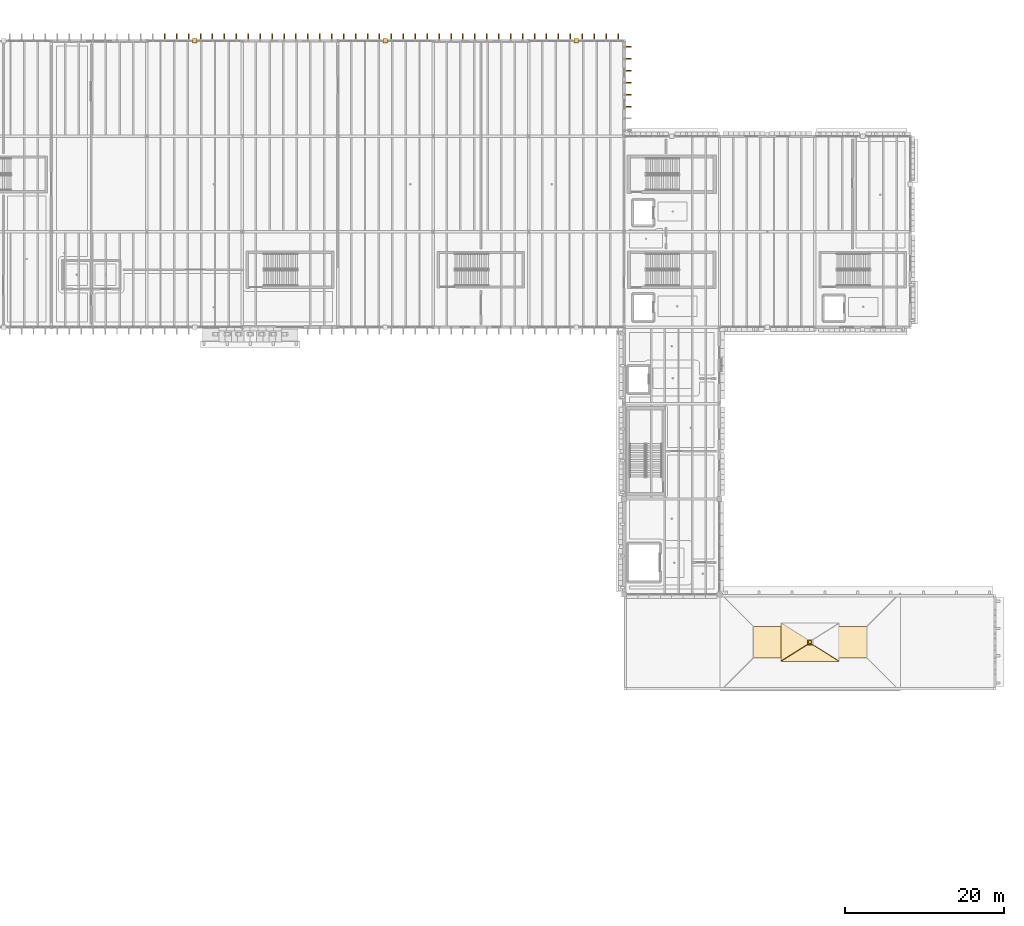
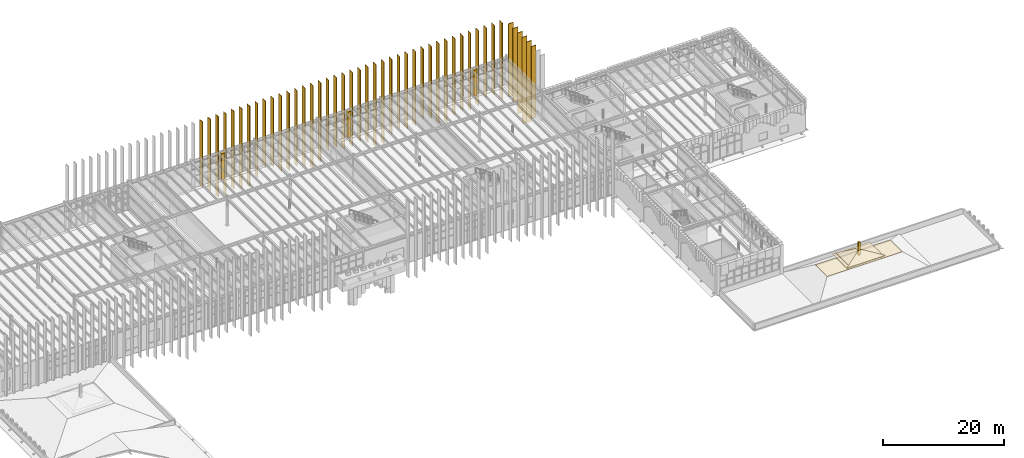
# One storey, part 72 of 83: 53 coverings.
"""IFC4 building model written with IfcOpenShell, lengths in metres."""

from ifc_helpers import new_model, si_unit, direction, frame, origin, place, context, subcontext, project, spatial, polyline, outline, extrude, material, layer, layer_set, type_object, element, save


model = new_model("IFC4")

# Units and contexts
model_context = context("Model", 3, precision=1e-05, world=origin(), true_north=direction((0.0, 1.0)))
body_context = subcontext(model_context, "Body", "Model", "MODEL_VIEW")
ifc_project = project(units=[si_unit("LENGTHUNIT", "METRE"), si_unit("AREAUNIT", "SQUARE_METRE"), si_unit("VOLUMEUNIT", "CUBIC_METRE"), si_unit("PLANEANGLEUNIT", "RADIAN"), si_unit("MASSUNIT", "GRAM", prefix="KILO")], contexts=[model_context])

# Site, building, storey
site_placement = place(None, origin())
site = spatial("IfcSite", under=ifc_project, at=site_placement, CompositionType="ELEMENT")
building_placement = place(site_placement, origin())
building = spatial("IfcBuilding", under=site, at=building_placement, Name="Zlatogorsky Bluff Art Gallery", CompositionType="ELEMENT")
storey_placement = place(building_placement, frame((0.0, 0.0, 10.800048828125)))
storey = spatial("IfcBuildingStorey", under=building, at=storey_placement, Name="L02", CompositionType="ELEMENT", Elevation=10.800048828125)

# Coverings
ifc_material_1 = material(Name="Honed Red Agra-Tone Quartzitic Sandstone", Category="masonry")
ifc_layer_1 = layer(ifc_material_1, 0.1201171875)
ifc_layer_set_1 = layer_set([ifc_layer_1], Name="Carved Sandstone Cladding CLD-02")
covering_type_1 = type_object("IfcCoveringType", Name="Carved Sandstone Cladding CLD-02", PredefinedType="CLADDING", material=ifc_layer_set_1)
covering_1_placement = place(storey_placement, frame((0.0, 0.0, -0.030029296875)))
element("IfcCovering", 1, at=covering_1_placement, inside=storey, type_object=covering_type_1, Name="Mughal dalan central sandstone pier L02 N 5.10", PredefinedType="CLADDING", context=body_context, shape_type="SweptSolid", body=[
    extrude(outline(polyline([(65.719970703125, 119.719970703125), (66.280029296875, 119.719970703125), (66.280029296875, 120.280029296875), (65.719970703125, 120.280029296875), (65.719970703125, 119.719970703125)])), origin(), (0.0, 0.0, 1.0), 5.239990234375),
])
covering_2_placement = place(storey_placement, frame((0.0, 0.0, -0.030029296875)))
element("IfcCovering", 2, at=covering_2_placement, inside=storey, type_object=covering_type_1, Name="Mughal dalan central sandstone pier L02 N 7.10", PredefinedType="CLADDING", context=body_context, shape_type="SweptSolid", body=[
    extrude(outline(polyline([(89.719970703125, 119.719970703125), (90.280029296875, 119.719970703125), (90.280029296875, 120.280029296875), (89.719970703125, 120.280029296875), (89.719970703125, 119.719970703125)])), origin(), (0.0, 0.0, 1.0), 5.239990234375),
])
covering_3_placement = place(storey_placement, frame((0.0, 0.0, -0.030029296875)))
element("IfcCovering", 3, at=covering_3_placement, inside=storey, type_object=covering_type_1, Name="Mughal dalan central sandstone pier L02 N 9.10", PredefinedType="CLADDING", context=body_context, shape_type="SweptSolid", body=[
    extrude(outline(polyline([(113.719970703125, 119.719970703125), (114.280029296875, 119.719970703125), (114.280029296875, 120.280029296875), (113.719970703125, 120.280029296875), (113.719970703125, 119.719970703125)])), origin(), (0.0, 0.0, 1.0), 5.239990234375),
])
covering_4_placement = place(storey_placement, frame((0.0, 0.0, 2.570068359375)))
element("IfcCovering", 4, at=covering_4_placement, inside=storey, type_object=covering_type_1, Name="Mughal pavilion upper deck RF-EAST-PAV", PredefinedType="CLADDING", context=body_context, shape_type="SweptSolid", body=[
    extrude(outline(polyline([(136.23193359375, 42.431884765625), (150.568115234375, 42.431884765625), (150.568115234375, 46.367919921875), (136.23193359375, 46.367919921875), (136.23193359375, 42.431884765625)])), origin(), (0.0, 0.0, 1.0), 0.179931640625),
])
covering_5_placement = place(storey_placement, frame((0.0, 0.0, 2.7099609375)))
element("IfcCovering", 5, at=covering_5_placement, inside=storey, type_object=covering_type_1, Name="Mughal chhatri lantern pavilion drum RF-EAST-PAV", PredefinedType="CLADDING", context=body_context, shape_type="SweptSolid", body=[
    extrude(outline(polyline([(140.199951171875, 42.431884765625), (146.60009765625, 42.431884765625), (146.60009765625, 46.367919921875), (140.199951171875, 46.367919921875), (140.199951171875, 42.431884765625)])), origin(), (0.0, 0.0, 1.0), 0.9541015625),
])
covering_6_placement = place(storey_placement, frame((139.75, 41.98193359375, 3.50390625), z_axis=(0.0, -0.466937780766, 0.884290172338), x_axis=(1.0, 0.0, 0.0)))
element("IfcCovering", 6, at=covering_6_placement, inside=storey, type_object=covering_type_1, Name="Mughal chhatri pavilion cap RF-EAST-PAV.CS", PredefinedType="CLADDING", context=body_context, shape_type="SweptSolid", body=[
    extrude(outline(polyline([(0.0, 0.0), (7.300048828125, 0.0), (4.0, 2.3387291853614096), (3.300048828125, 2.3387291853614096), (0.0, 0.0)])), origin(), (0.0, 0.0, -1.0), 0.139892578125),
])
covering_7_placement = place(storey_placement, frame((139.75, 46.818115234375, 3.50390625), z_axis=(-0.314162101707, 0.0, 0.949369355863), x_axis=(0.0, -1.0, 0.0)))
element("IfcCovering", 7, at=covering_7_placement, inside=storey, type_object=covering_type_1, Name="Mughal chhatri pavilion cap RF-EAST-PAV.CW", PredefinedType="CLADDING", context=body_context, shape_type="SweptSolid", body=[
    extrude(outline(polyline([(0.0, 0.0), (4.836181640625, 0.0), (2.76806640625, 3.476043130891282), (2.068115234375, 3.476043130891282), (0.0, 0.0)])), origin(), (0.0, 0.0, -1.0), 0.139892578125),
])
ifc_material_2 = material(Name="Patinated Architectural Bronze Fin", Category="metal")
ifc_layer_2 = layer(ifc_material_2, 0.110107421875)
ifc_layer_set_2 = layer_set([ifc_layer_2], Name="Vertical Gallery Fin FIN-01")
covering_type_2 = type_object("IfcCoveringType", Name="Vertical Gallery Fin FIN-01", PredefinedType="CLADDING", material=ifc_layer_set_2)
covering_8_placement = place(storey_placement, frame((0.0, 0.0, 3.44384765625)))
element("IfcCovering", 8, at=covering_8_placement, inside=storey, type_object=covering_type_2, Name="Bronze kalasha pinnacle finial RF-EAST-PAV", PredefinedType="CLADDING", context=body_context, shape_type="SweptSolid", body=[
    extrude(outline(polyline([(143.219970703125, 44.219970703125), (143.580078125, 44.219970703125), (143.580078125, 44.580078125), (143.219970703125, 44.580078125), (143.219970703125, 44.219970703125)])), origin(), (0.0, 0.0, 1.0), 2.60205078125),
])
covering_9_placement = place(storey_placement, frame((0.0, 0.0, -0.547119140625)))
element("IfcCovering", 9, at=covering_9_placement, inside=storey, type_object=covering_type_2, Name="Lifted gallery vertical bronze fin N.105", PredefinedType="CLADDING", context=body_context, shape_type="SweptSolid", body=[
    extrude(outline(polyline([(62.18994140625, 119.9599609375), (62.31005859375, 119.9599609375), (62.31005859375, 120.8798828125), (62.18994140625, 120.8798828125), (62.18994140625, 119.9599609375)])), origin(), (0.0, 0.0, 1.0), 13.22705078125),
])
covering_10_placement = place(storey_placement, frame((0.0, 0.0, -1.716064453125)))
element("IfcCovering", 10, at=covering_10_placement, inside=storey, type_object=covering_type_2, Name="Lifted gallery vertical bronze fin N.106", PredefinedType="CLADDING", context=body_context, shape_type="SweptSolid", body=[
    extrude(outline(polyline([(63.68994140625, 119.9599609375), (63.81005859375, 119.9599609375), (63.81005859375, 120.8798828125), (63.68994140625, 120.8798828125), (63.68994140625, 119.9599609375)])), origin(), (0.0, 0.0, 1.0), 14.39599609375),
])
covering_11_placement = place(storey_placement, frame((0.0, 0.0, -3.4580078125)))
element("IfcCovering", 11, at=covering_11_placement, inside=storey, type_object=covering_type_2, Name="Lifted gallery vertical bronze fin N.107", PredefinedType="CLADDING", context=body_context, shape_type="SweptSolid", body=[
    extrude(outline(polyline([(65.18994140625, 119.9599609375), (65.31005859375, 119.9599609375), (65.31005859375, 120.8798828125), (65.18994140625, 120.8798828125), (65.18994140625, 119.9599609375)])), origin(), (0.0, 0.0, 1.0), 16.137939453125),
])
covering_12_placement = place(storey_placement, frame((0.0, 0.0, -3.614013671875)))
element("IfcCovering", 12, at=covering_12_placement, inside=storey, type_object=covering_type_2, Name="Lifted gallery vertical bronze fin N.108", PredefinedType="CLADDING", context=body_context, shape_type="SweptSolid", body=[
    extrude(outline(polyline([(66.68994140625, 119.9599609375), (66.81005859375, 119.9599609375), (66.81005859375, 120.8798828125), (66.68994140625, 120.8798828125), (66.68994140625, 119.9599609375)])), origin(), (0.0, 0.0, 1.0), 16.2939453125),
])
covering_13_placement = place(storey_placement, frame((0.0, 0.0, -2.93310546875)))
element("IfcCovering", 13, at=covering_13_placement, inside=storey, type_object=covering_type_2, Name="Lifted gallery vertical bronze fin N.109", PredefinedType="CLADDING", context=body_context, shape_type="SweptSolid", body=[
    extrude(outline(polyline([(68.18994140625, 119.9599609375), (68.31005859375, 119.9599609375), (68.31005859375, 120.8798828125), (68.18994140625, 120.8798828125), (68.18994140625, 119.9599609375)])), origin(), (0.0, 0.0, 1.0), 15.613037109375),
])
covering_14_placement = place(storey_placement, frame((0.0, 0.0, -3.152099609375)))
element("IfcCovering", 14, at=covering_14_placement, inside=storey, type_object=covering_type_2, Name="Lifted gallery vertical bronze fin N.110", PredefinedType="CLADDING", context=body_context, shape_type="SweptSolid", body=[
    extrude(outline(polyline([(69.68994140625, 119.9599609375), (69.81005859375, 119.9599609375), (69.81005859375, 120.8798828125), (69.68994140625, 120.8798828125), (69.68994140625, 119.9599609375)])), origin(), (0.0, 0.0, 1.0), 15.83203125),
])
covering_15_placement = place(storey_placement, frame((0.0, 0.0, -3.43896484375)))
element("IfcCovering", 15, at=covering_15_placement, inside=storey, type_object=covering_type_2, Name="Lifted gallery vertical bronze fin N.111", PredefinedType="CLADDING", context=body_context, shape_type="SweptSolid", body=[
    extrude(outline(polyline([(71.18994140625, 119.9599609375), (71.31005859375, 119.9599609375), (71.31005859375, 120.8798828125), (71.18994140625, 120.8798828125), (71.18994140625, 119.9599609375)])), origin(), (0.0, 0.0, 1.0), 16.118896484375),
])
covering_16_placement = place(storey_placement, frame((0.0, 0.0, -2.215087890625)))
element("IfcCovering", 16, at=covering_16_placement, inside=storey, type_object=covering_type_2, Name="Lifted gallery vertical bronze fin N.112", PredefinedType="CLADDING", context=body_context, shape_type="SweptSolid", body=[
    extrude(outline(polyline([(72.68994140625, 119.9599609375), (72.81005859375, 119.9599609375), (72.81005859375, 120.8798828125), (72.68994140625, 120.8798828125), (72.68994140625, 119.9599609375)])), origin(), (0.0, 0.0, 1.0), 14.89501953125),
])
covering_17_placement = place(storey_placement, frame((0.0, 0.0, -0.7060546875)))
element("IfcCovering", 17, at=covering_17_placement, inside=storey, type_object=covering_type_2, Name="Lifted gallery vertical bronze fin N.113", PredefinedType="CLADDING", context=body_context, shape_type="SweptSolid", body=[
    extrude(outline(polyline([(74.18994140625, 119.9599609375), (74.31005859375, 119.9599609375), (74.31005859375, 120.8798828125), (74.18994140625, 120.8798828125), (74.18994140625, 119.9599609375)])), origin(), (0.0, 0.0, 1.0), 13.385986328125),
])
covering_18_placement = place(storey_placement, frame((0.0, 0.0, -1.053955078125)))
element("IfcCovering", 18, at=covering_18_placement, inside=storey, type_object=covering_type_2, Name="Lifted gallery vertical bronze fin N.114", PredefinedType="CLADDING", context=body_context, shape_type="SweptSolid", body=[
    extrude(outline(polyline([(75.68994140625, 119.9599609375), (75.81005859375, 119.9599609375), (75.81005859375, 120.8798828125), (75.68994140625, 120.8798828125), (75.68994140625, 119.9599609375)])), origin(), (0.0, 0.0, 1.0), 13.73388671875),
])
covering_19_placement = place(storey_placement, frame((0.0, 0.0, -2.465087890625)))
element("IfcCovering", 19, at=covering_19_placement, inside=storey, type_object=covering_type_2, Name="Lifted gallery vertical bronze fin N.115", PredefinedType="CLADDING", context=body_context, shape_type="SweptSolid", body=[
    extrude(outline(polyline([(77.18994140625, 119.9599609375), (77.31005859375, 119.9599609375), (77.31005859375, 120.8798828125), (77.18994140625, 120.8798828125), (77.18994140625, 119.9599609375)])), origin(), (0.0, 0.0, 1.0), 15.14501953125),
])
covering_20_placement = place(storey_placement, frame((0.0, 0.0, -2.7939453125)))
element("IfcCovering", 20, at=covering_20_placement, inside=storey, type_object=covering_type_2, Name="Lifted gallery vertical bronze fin N.116", PredefinedType="CLADDING", context=body_context, shape_type="SweptSolid", body=[
    extrude(outline(polyline([(78.68994140625, 119.9599609375), (78.81005859375, 119.9599609375), (78.81005859375, 120.8798828125), (78.68994140625, 120.8798828125), (78.68994140625, 119.9599609375)])), origin(), (0.0, 0.0, 1.0), 15.473876953125),
])
covering_21_placement = place(storey_placement, frame((0.0, 0.0, -2.453125)))
element("IfcCovering", 21, at=covering_21_placement, inside=storey, type_object=covering_type_2, Name="Lifted gallery vertical bronze fin N.117", PredefinedType="CLADDING", context=body_context, shape_type="SweptSolid", body=[
    extrude(outline(polyline([(80.18994140625, 119.9599609375), (80.31005859375, 119.9599609375), (80.31005859375, 120.8798828125), (80.18994140625, 120.8798828125), (80.18994140625, 119.9599609375)])), origin(), (0.0, 0.0, 1.0), 15.133056640625),
])
covering_22_placement = place(storey_placement, frame((0.0, 0.0, -3.131103515625)))
element("IfcCovering", 22, at=covering_22_placement, inside=storey, type_object=covering_type_2, Name="Lifted gallery vertical bronze fin N.118", PredefinedType="CLADDING", context=body_context, shape_type="SweptSolid", body=[
    extrude(outline(polyline([(81.68994140625, 119.9599609375), (81.81005859375, 119.9599609375), (81.81005859375, 120.8798828125), (81.68994140625, 120.8798828125), (81.68994140625, 119.9599609375)])), origin(), (0.0, 0.0, 1.0), 15.81103515625),
])
covering_23_placement = place(storey_placement, frame((0.0, 0.0, -4.0390625)))
element("IfcCovering", 23, at=covering_23_placement, inside=storey, type_object=covering_type_2, Name="Lifted gallery vertical bronze fin N.119", PredefinedType="CLADDING", context=body_context, shape_type="SweptSolid", body=[
    extrude(outline(polyline([(83.18994140625, 119.9599609375), (83.31005859375, 119.9599609375), (83.31005859375, 120.8798828125), (83.18994140625, 120.8798828125), (83.18994140625, 119.9599609375)])), origin(), (0.0, 0.0, 1.0), 16.718994140625),
])
covering_24_placement = place(storey_placement, frame((0.0, 0.0, -3.235107421875)))
element("IfcCovering", 24, at=covering_24_placement, inside=storey, type_object=covering_type_2, Name="Lifted gallery vertical bronze fin N.120", PredefinedType="CLADDING", context=body_context, shape_type="SweptSolid", body=[
    extrude(outline(polyline([(84.68994140625, 119.9599609375), (84.81005859375, 119.9599609375), (84.81005859375, 120.8798828125), (84.68994140625, 120.8798828125), (84.68994140625, 119.9599609375)])), origin(), (0.0, 0.0, 1.0), 15.9150390625),
])
covering_25_placement = place(storey_placement, frame((0.0, 0.0, -1.52001953125)))
element("IfcCovering", 25, at=covering_25_placement, inside=storey, type_object=covering_type_2, Name="Lifted gallery vertical bronze fin N.121", PredefinedType="CLADDING", context=body_context, shape_type="SweptSolid", body=[
    extrude(outline(polyline([(86.18994140625, 119.9599609375), (86.31005859375, 119.9599609375), (86.31005859375, 120.8798828125), (86.18994140625, 120.8798828125), (86.18994140625, 119.9599609375)])), origin(), (0.0, 0.0, 1.0), 14.199951171875),
])
covering_26_placement = place(storey_placement, frame((0.0, 0.0, -1.23095703125)))
element("IfcCovering", 26, at=covering_26_placement, inside=storey, type_object=covering_type_2, Name="Lifted gallery vertical bronze fin N.122", PredefinedType="CLADDING", context=body_context, shape_type="SweptSolid", body=[
    extrude(outline(polyline([(87.68994140625, 119.9599609375), (87.81005859375, 119.9599609375), (87.81005859375, 120.8798828125), (87.68994140625, 120.8798828125), (87.68994140625, 119.9599609375)])), origin(), (0.0, 0.0, 1.0), 13.910888671875),
])
covering_27_placement = place(storey_placement, frame((0.0, 0.0, -2.1220703125)))
element("IfcCovering", 27, at=covering_27_placement, inside=storey, type_object=covering_type_2, Name="Lifted gallery vertical bronze fin N.123", PredefinedType="CLADDING", context=body_context, shape_type="SweptSolid", body=[
    extrude(outline(polyline([(89.18994140625, 119.9599609375), (89.31005859375, 119.9599609375), (89.31005859375, 120.8798828125), (89.18994140625, 120.8798828125), (89.18994140625, 119.9599609375)])), origin(), (0.0, 0.0, 1.0), 14.802001953125),
])
covering_28_placement = place(storey_placement, frame((0.0, 0.0, -2.198974609375)))
element("IfcCovering", 28, at=covering_28_placement, inside=storey, type_object=covering_type_2, Name="Lifted gallery vertical bronze fin N.124", PredefinedType="CLADDING", context=body_context, shape_type="SweptSolid", body=[
    extrude(outline(polyline([(90.68994140625, 119.9599609375), (90.81005859375, 119.9599609375), (90.81005859375, 120.8798828125), (90.68994140625, 120.8798828125), (90.68994140625, 119.9599609375)])), origin(), (0.0, 0.0, 1.0), 14.87890625),
])
covering_29_placement = place(storey_placement, frame((0.0, 0.0, -1.718017578125)))
element("IfcCovering", 29, at=covering_29_placement, inside=storey, type_object=covering_type_2, Name="Lifted gallery vertical bronze fin N.125", PredefinedType="CLADDING", context=body_context, shape_type="SweptSolid", body=[
    extrude(outline(polyline([(92.18994140625, 119.9599609375), (92.31005859375, 119.9599609375), (92.31005859375, 120.8798828125), (92.18994140625, 120.8798828125), (92.18994140625, 119.9599609375)])), origin(), (0.0, 0.0, 1.0), 14.39794921875),
])
covering_30_placement = place(storey_placement, frame((0.0, 0.0, -2.47998046875)))
element("IfcCovering", 30, at=covering_30_placement, inside=storey, type_object=covering_type_2, Name="Lifted gallery vertical bronze fin N.126", PredefinedType="CLADDING", context=body_context, shape_type="SweptSolid", body=[
    extrude(outline(polyline([(93.68994140625, 119.9599609375), (93.81005859375, 119.9599609375), (93.81005859375, 120.8798828125), (93.68994140625, 120.8798828125), (93.68994140625, 119.9599609375)])), origin(), (0.0, 0.0, 1.0), 15.159912109375),
])
covering_31_placement = place(storey_placement, frame((0.0, 0.0, -3.906982421875)))
element("IfcCovering", 31, at=covering_31_placement, inside=storey, type_object=covering_type_2, Name="Lifted gallery vertical bronze fin N.127", PredefinedType="CLADDING", context=body_context, shape_type="SweptSolid", body=[
    extrude(outline(polyline([(95.18994140625, 119.9599609375), (95.31005859375, 119.9599609375), (95.31005859375, 120.8798828125), (95.18994140625, 120.8798828125), (95.18994140625, 119.9599609375)])), origin(), (0.0, 0.0, 1.0), 16.5869140625),
])
covering_32_placement = place(storey_placement, frame((0.0, 0.0, -3.761962890625)))
element("IfcCovering", 32, at=covering_32_placement, inside=storey, type_object=covering_type_2, Name="Lifted gallery vertical bronze fin N.128", PredefinedType="CLADDING", context=body_context, shape_type="SweptSolid", body=[
    extrude(outline(polyline([(96.68994140625, 119.9599609375), (96.81005859375, 119.9599609375), (96.81005859375, 120.8798828125), (96.68994140625, 120.8798828125), (96.68994140625, 119.9599609375)])), origin(), (0.0, 0.0, 1.0), 16.44189453125),
])
covering_33_placement = place(storey_placement, frame((0.0, 0.0, -2.291015625)))
element("IfcCovering", 33, at=covering_33_placement, inside=storey, type_object=covering_type_2, Name="Lifted gallery vertical bronze fin N.129", PredefinedType="CLADDING", context=body_context, shape_type="SweptSolid", body=[
    extrude(outline(polyline([(98.18994140625, 119.9599609375), (98.31005859375, 119.9599609375), (98.31005859375, 120.8798828125), (98.18994140625, 120.8798828125), (98.18994140625, 119.9599609375)])), origin(), (0.0, 0.0, 1.0), 14.970947265625),
])
covering_34_placement = place(storey_placement, frame((0.0, 0.0, -1.777099609375)))
element("IfcCovering", 34, at=covering_34_placement, inside=storey, type_object=covering_type_2, Name="Lifted gallery vertical bronze fin N.130", PredefinedType="CLADDING", context=body_context, shape_type="SweptSolid", body=[
    extrude(outline(polyline([(99.68994140625, 119.9599609375), (99.81005859375, 119.9599609375), (99.81005859375, 120.8798828125), (99.68994140625, 120.8798828125), (99.68994140625, 119.9599609375)])), origin(), (0.0, 0.0, 1.0), 14.45703125),
])
covering_35_placement = place(storey_placement, frame((0.0, 0.0, -2.35498046875)))
element("IfcCovering", 35, at=covering_35_placement, inside=storey, type_object=covering_type_2, Name="Lifted gallery vertical bronze fin N.131", PredefinedType="CLADDING", context=body_context, shape_type="SweptSolid", body=[
    extrude(outline(polyline([(101.18994140625, 119.9599609375), (101.31005859375, 119.9599609375), (101.31005859375, 120.8798828125), (101.18994140625, 120.8798828125), (101.18994140625, 119.9599609375)])), origin(), (0.0, 0.0, 1.0), 15.034912109375),
])
covering_36_placement = place(storey_placement, frame((0.0, 0.0, -2.153076171875)))
element("IfcCovering", 36, at=covering_36_placement, inside=storey, type_object=covering_type_2, Name="Lifted gallery vertical bronze fin N.132", PredefinedType="CLADDING", context=body_context, shape_type="SweptSolid", body=[
    extrude(outline(polyline([(102.68994140625, 119.9599609375), (102.81005859375, 119.9599609375), (102.81005859375, 120.8798828125), (102.68994140625, 120.8798828125), (102.68994140625, 119.9599609375)])), origin(), (0.0, 0.0, 1.0), 14.8330078125),
])
covering_37_placement = place(storey_placement, frame((0.0, 0.0, -1.2900390625)))
element("IfcCovering", 37, at=covering_37_placement, inside=storey, type_object=covering_type_2, Name="Lifted gallery vertical bronze fin N.133", PredefinedType="CLADDING", context=body_context, shape_type="SweptSolid", body=[
    extrude(outline(polyline([(104.18994140625, 119.9599609375), (104.31005859375, 119.9599609375), (104.31005859375, 120.8798828125), (104.18994140625, 120.8798828125), (104.18994140625, 119.9599609375)])), origin(), (0.0, 0.0, 1.0), 13.969970703125),
])
covering_38_placement = place(storey_placement, frame((0.0, 0.0, -1.757080078125)))
element("IfcCovering", 38, at=covering_38_placement, inside=storey, type_object=covering_type_2, Name="Lifted gallery vertical bronze fin N.134", PredefinedType="CLADDING", context=body_context, shape_type="SweptSolid", body=[
    extrude(outline(polyline([(105.68994140625, 119.9599609375), (105.81005859375, 119.9599609375), (105.81005859375, 120.8798828125), (105.68994140625, 120.8798828125), (105.68994140625, 119.9599609375)])), origin(), (0.0, 0.0, 1.0), 14.43701171875),
])
covering_39_placement = place(storey_placement, frame((0.0, 0.0, -3.366943359375)))
element("IfcCovering", 39, at=covering_39_placement, inside=storey, type_object=covering_type_2, Name="Lifted gallery vertical bronze fin N.135", PredefinedType="CLADDING", context=body_context, shape_type="SweptSolid", body=[
    extrude(outline(polyline([(107.18994140625, 119.9599609375), (107.31005859375, 119.9599609375), (107.31005859375, 120.8798828125), (107.18994140625, 120.8798828125), (107.18994140625, 119.9599609375)])), origin(), (0.0, 0.0, 1.0), 16.046875),
])
covering_40_placement = place(storey_placement, frame((0.0, 0.0, -3.774169921875)))
element("IfcCovering", 40, at=covering_40_placement, inside=storey, type_object=covering_type_2, Name="Lifted gallery vertical bronze fin N.136", PredefinedType="CLADDING", context=body_context, shape_type="SweptSolid", body=[
    extrude(outline(polyline([(108.68994140625, 119.9599609375), (108.81005859375, 119.9599609375), (108.81005859375, 120.8798828125), (108.68994140625, 120.8798828125), (108.68994140625, 119.9599609375)])), origin(), (0.0, 0.0, 1.0), 16.4541015625),
])
covering_41_placement = place(storey_placement, frame((0.0, 0.0, -2.695068359375)))
element("IfcCovering", 41, at=covering_41_placement, inside=storey, type_object=covering_type_2, Name="Lifted gallery vertical bronze fin N.137", PredefinedType="CLADDING", context=body_context, shape_type="SweptSolid", body=[
    extrude(outline(polyline([(110.18994140625, 119.9599609375), (110.31005859375, 119.9599609375), (110.31005859375, 120.8798828125), (110.18994140625, 120.8798828125), (110.18994140625, 119.9599609375)])), origin(), (0.0, 0.0, 1.0), 15.375),
])
covering_42_placement = place(storey_placement, frame((0.0, 0.0, -2.22998046875)))
element("IfcCovering", 42, at=covering_42_placement, inside=storey, type_object=covering_type_2, Name="Lifted gallery vertical bronze fin N.138", PredefinedType="CLADDING", context=body_context, shape_type="SweptSolid", body=[
    extrude(outline(polyline([(111.68994140625, 119.9599609375), (111.81005859375, 119.9599609375), (111.81005859375, 120.8798828125), (111.68994140625, 120.8798828125), (111.68994140625, 119.9599609375)])), origin(), (0.0, 0.0, 1.0), 14.909912109375),
])
covering_43_placement = place(storey_placement, frame((0.0, 0.0, -2.76513671875)))
element("IfcCovering", 43, at=covering_43_placement, inside=storey, type_object=covering_type_2, Name="Lifted gallery vertical bronze fin N.139", PredefinedType="CLADDING", context=body_context, shape_type="SweptSolid", body=[
    extrude(outline(polyline([(113.18994140625, 119.9599609375), (113.31005859375, 119.9599609375), (113.31005859375, 120.8798828125), (113.18994140625, 120.8798828125), (113.18994140625, 119.9599609375)])), origin(), (0.0, 0.0, 1.0), 15.445068359375),
])
covering_44_placement = place(storey_placement, frame((0.0, 0.0, -2.468017578125)))
element("IfcCovering", 44, at=covering_44_placement, inside=storey, type_object=covering_type_2, Name="Lifted gallery vertical bronze fin N.140", PredefinedType="CLADDING", context=body_context, shape_type="SweptSolid", body=[
    extrude(outline(polyline([(114.68994140625, 119.9599609375), (114.81005859375, 119.9599609375), (114.81005859375, 120.8798828125), (114.68994140625, 120.8798828125), (114.68994140625, 119.9599609375)])), origin(), (0.0, 0.0, 1.0), 15.14794921875),
])
covering_45_placement = place(storey_placement, frame((0.0, 0.0, -1.24609375)))
element("IfcCovering", 45, at=covering_45_placement, inside=storey, type_object=covering_type_2, Name="Lifted gallery vertical bronze fin N.141", PredefinedType="CLADDING", context=body_context, shape_type="SweptSolid", body=[
    extrude(outline(polyline([(116.18994140625, 119.9599609375), (116.31005859375, 119.9599609375), (116.31005859375, 120.8798828125), (116.18994140625, 120.8798828125), (116.18994140625, 119.9599609375)])), origin(), (0.0, 0.0, 1.0), 13.926025390625),
])
covering_46_placement = place(storey_placement, frame((0.0, 0.0, -1.2451171875)))
element("IfcCovering", 46, at=covering_46_placement, inside=storey, type_object=covering_type_2, Name="Lifted gallery vertical bronze fin N.142", PredefinedType="CLADDING", context=body_context, shape_type="SweptSolid", body=[
    extrude(outline(polyline([(117.68994140625, 119.9599609375), (117.81005859375, 119.9599609375), (117.81005859375, 120.8798828125), (117.68994140625, 120.8798828125), (117.68994140625, 119.9599609375)])), origin(), (0.0, 0.0, 1.0), 13.925048828125),
])
covering_47_placement = place(storey_placement, frame((0.0, 0.0, -2.759033203125)))
element("IfcCovering", 47, at=covering_47_placement, inside=storey, type_object=covering_type_2, Name="Lifted gallery vertical bronze fin N.143", PredefinedType="CLADDING", context=body_context, shape_type="SweptSolid", body=[
    extrude(outline(polyline([(119.18994140625, 119.9599609375), (119.31005859375, 119.9599609375), (119.31005859375, 120.8798828125), (119.18994140625, 120.8798828125), (119.18994140625, 119.9599609375)])), origin(), (0.0, 0.0, 1.0), 15.43896484375),
])
covering_48_placement = place(storey_placement, frame((0.0, 0.0, -1.85693359375)))
element("IfcCovering", 48, at=covering_48_placement, inside=storey, type_object=covering_type_2, Name="Lifted gallery vertical bronze fin E.162", PredefinedType="CLADDING", context=body_context, shape_type="SweptSolid", body=[
    extrude(outline(polyline([(119.9599609375, 111.68994140625), (120.8798828125, 111.68994140625), (120.8798828125, 111.81005859375), (119.9599609375, 111.81005859375), (119.9599609375, 111.68994140625)])), origin(), (0.0, 0.0, 1.0), 14.536865234375),
])
covering_49_placement = place(storey_placement, frame((0.0, 0.0, -3.589111328125)))
element("IfcCovering", 49, at=covering_49_placement, inside=storey, type_object=covering_type_2, Name="Lifted gallery vertical bronze fin E.163", PredefinedType="CLADDING", context=body_context, shape_type="SweptSolid", body=[
    extrude(outline(polyline([(119.9599609375, 113.18994140625), (120.8798828125, 113.18994140625), (120.8798828125, 113.31005859375), (119.9599609375, 113.31005859375), (119.9599609375, 113.18994140625)])), origin(), (0.0, 0.0, 1.0), 16.26904296875),
])
covering_50_placement = place(storey_placement, frame((0.0, 0.0, -4.649169921875)))
element("IfcCovering", 50, at=covering_50_placement, inside=storey, type_object=covering_type_2, Name="Lifted gallery vertical bronze fin E.164", PredefinedType="CLADDING", context=body_context, shape_type="SweptSolid", body=[
    extrude(outline(polyline([(119.9599609375, 114.68994140625), (120.8798828125, 114.68994140625), (120.8798828125, 114.81005859375), (119.9599609375, 114.81005859375), (119.9599609375, 114.68994140625)])), origin(), (0.0, 0.0, 1.0), 17.3291015625),
])
covering_51_placement = place(storey_placement, frame((0.0, 0.0, -3.60205078125)))
element("IfcCovering", 51, at=covering_51_placement, inside=storey, type_object=covering_type_2, Name="Lifted gallery vertical bronze fin E.165", PredefinedType="CLADDING", context=body_context, shape_type="SweptSolid", body=[
    extrude(outline(polyline([(119.9599609375, 116.18994140625), (120.8798828125, 116.18994140625), (120.8798828125, 116.31005859375), (119.9599609375, 116.31005859375), (119.9599609375, 116.18994140625)])), origin(), (0.0, 0.0, 1.0), 16.281982421875),
])
covering_52_placement = place(storey_placement, frame((0.0, 0.0, -2.192138671875)))
element("IfcCovering", 52, at=covering_52_placement, inside=storey, type_object=covering_type_2, Name="Lifted gallery vertical bronze fin E.166", PredefinedType="CLADDING", context=body_context, shape_type="SweptSolid", body=[
    extrude(outline(polyline([(119.9599609375, 117.68994140625), (120.8798828125, 117.68994140625), (120.8798828125, 117.81005859375), (119.9599609375, 117.81005859375), (119.9599609375, 117.68994140625)])), origin(), (0.0, 0.0, 1.0), 14.8720703125),
])
covering_53_placement = place(storey_placement, frame((0.0, 0.0, -2.06494140625)))
element("IfcCovering", 53, at=covering_53_placement, inside=storey, type_object=covering_type_2, Name="Lifted gallery vertical bronze fin E.167", PredefinedType="CLADDING", context=body_context, shape_type="SweptSolid", body=[
    extrude(outline(polyline([(119.9599609375, 119.18994140625), (120.8798828125, 119.18994140625), (120.8798828125, 119.31005859375), (119.9599609375, 119.31005859375), (119.9599609375, 119.18994140625)])), origin(), (0.0, 0.0, 1.0), 14.744873046875),
])

save(model, "model.ifc")
